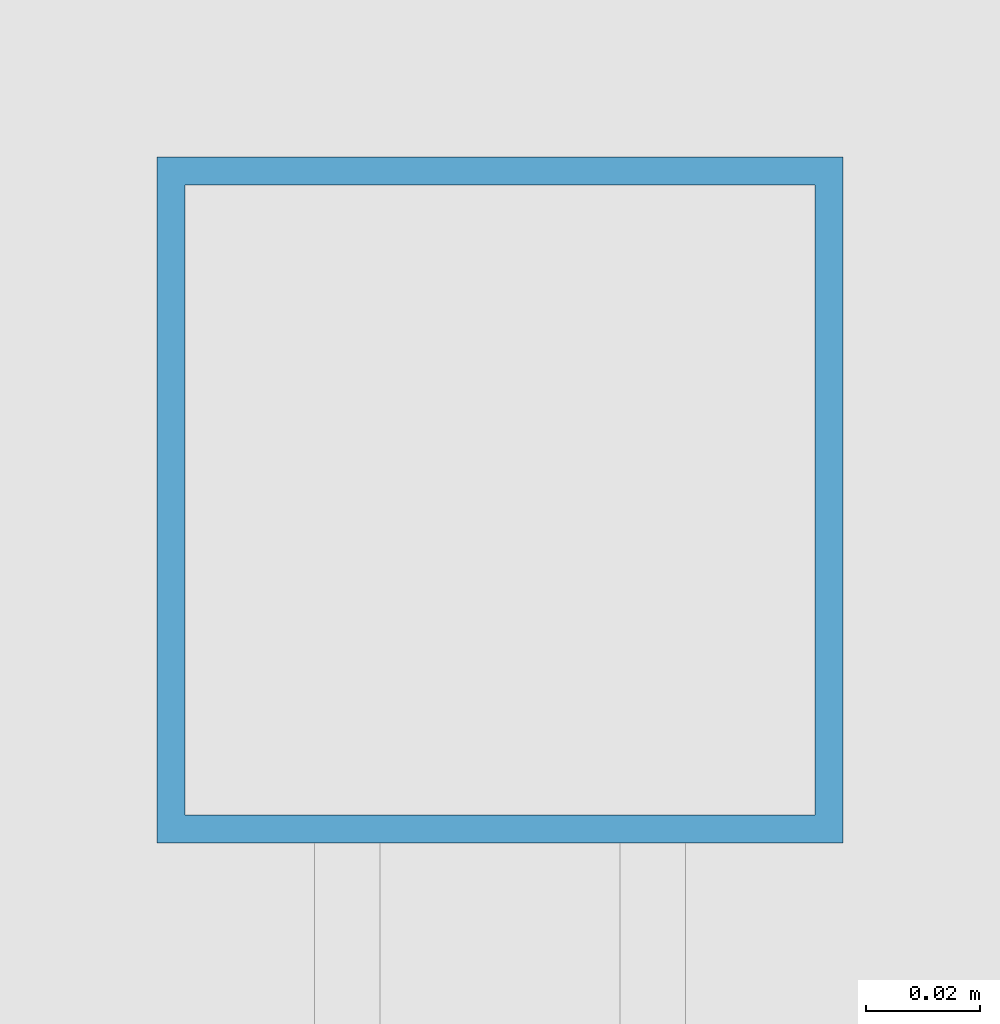
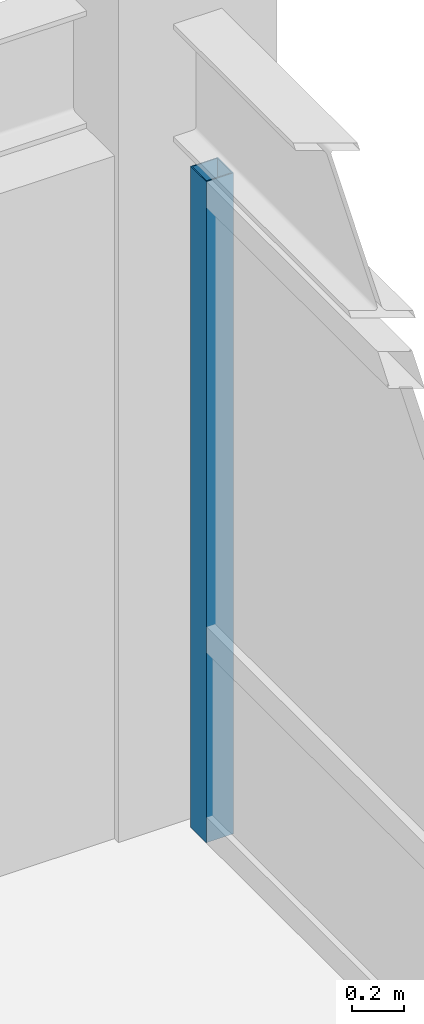
# One storey, part 20 of 29: 1 member, 1 element without a shape of its own.
"""IFC4 building model written with IfcOpenShell, lengths in metres."""

from ifc_helpers import new_model, si_unit, direction, frame, origin, origin_2d, place, context, subcontext, project, spatial, hollow_rectangle, extrude, source, transform, mapped, material, material_profile, profile_set, type_object, element, aggregate, save


model = new_model("IFC4")

# Units and contexts
model_context = context("Model", 3, precision=1e-05, world=origin(), true_north=direction((0.0, 1.0)))
body_context = subcontext(model_context, "Body", "Model", "MODEL_VIEW")
ifc_project = project(units=[si_unit("LENGTHUNIT", "METRE"), si_unit("AREAUNIT", "SQUARE_METRE"), si_unit("VOLUMEUNIT", "CUBIC_METRE"), si_unit("PLANEANGLEUNIT", "RADIAN"), si_unit("MASSUNIT", "GRAM", prefix="KILO")], contexts=[model_context])

# Site, building, storey
site_placement = place(None, origin())
site = spatial("IfcSite", under=ifc_project, at=site_placement, CompositionType="ELEMENT")
building_placement = place(site_placement, origin())
building = spatial("IfcBuilding", under=site, at=building_placement, Name="Khorayat Bourse Tower", CompositionType="ELEMENT")
storey_placement = place(building_placement, frame((0.0, 0.0, 366.300048828125)))
storey = spatial("IfcBuildingStorey", under=building, at=storey_placement, Name="L87", CompositionType="ELEMENT", Elevation=366.300048828125)

# Curtain wall, member
ifc_material = material(Name="Aluminium EN AW-6063 T6", Category="aluminium")
curtain_wall_type = type_object("IfcCurtainWallType", Name="CW-SYS-04", PredefinedType="NOTDEFINED", material=ifc_material)
curtain_wall_placement = place(storey_placement, origin())
curtain_wall = element("IfcCurtainWall", 1, at=curtain_wall_placement, inside=storey, type_object=curtain_wall_type, Name="L87 Curtain Wall CW-L87-E1", PredefinedType="NOTDEFINED")
ifc_material_profile = material_profile(ifc_material, hollow_rectangle(XDim=0.1201171875, YDim=0.1201171875, WallThickness=0.0048828125, at=origin_2d()), Name="ALU 120x120x5")
ifc_profile_set = profile_set([ifc_material_profile], Name="Aluminium EN AW-6063 T6")
member_type = type_object("IfcMemberType", Name="CWM-VERT-120", PredefinedType="MULLION", material=ifc_profile_set)
shared_shape = source(origin(), body_context, "Body", "SweptSolid", [
    extrude(hollow_rectangle(XDim=0.1201171875, YDim=0.1201171875, WallThickness=0.0048828125, at=origin_2d()), origin(), (0.0, 0.0, 1.0), 3.08984375),
])
member_placement = place(storey_placement, frame((26.0, 19.5400390625, 0.0), z_axis=(0.0, 0.0, 1.0), x_axis=(-1.0, 0.0, 0.0)))
member = element("IfcMember", 2, at=member_placement, type_object=member_type, Name="CW-L87-E1 Vertical Mullion 3", PredefinedType="MULLION", context=body_context, shape_type="MappedRepresentation", body=[
    mapped(shared_shape, transform((0.0, 0.0, 0.0), scale=1.0)),
])
aggregate(curtain_wall, [member])

save(model, "model.ifc")
